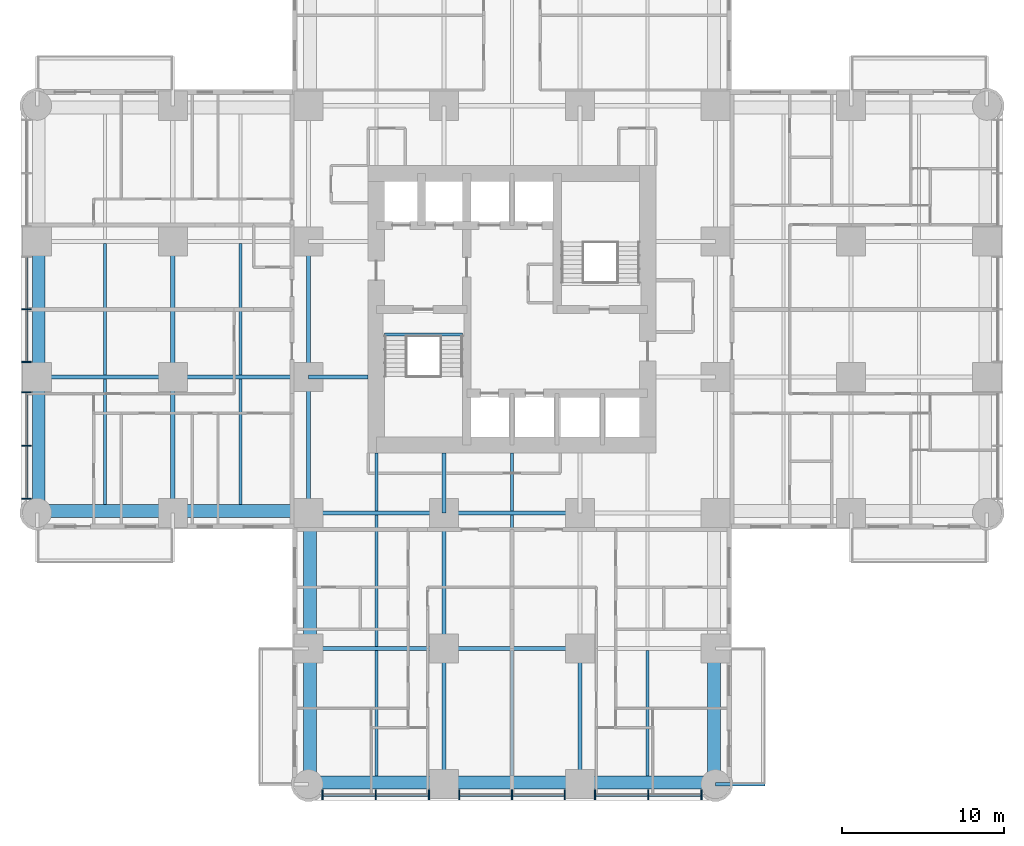
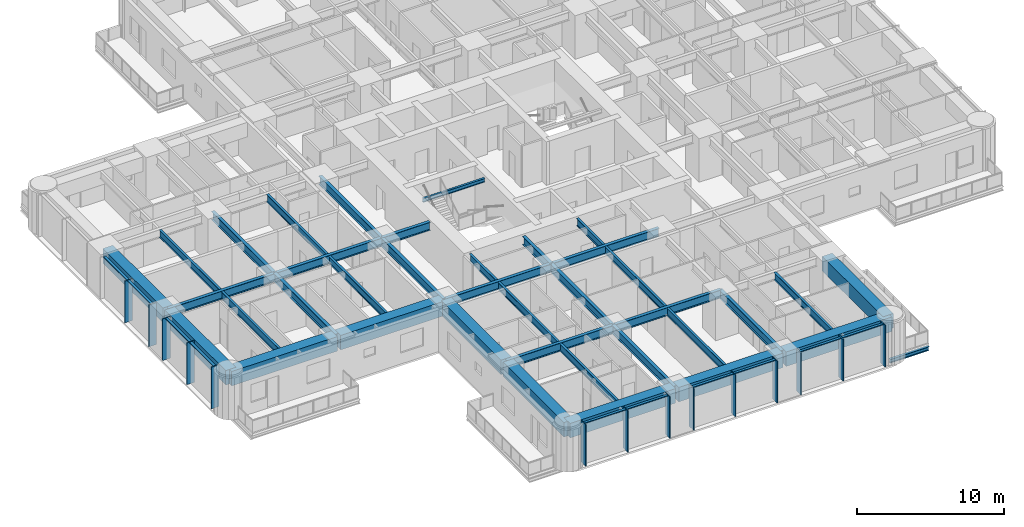
# One storey, part 2 of 17: 38 beams, 24 members, 2 elements without a shape of their own.
"""IFC4 building model written with IfcOpenShell, lengths in metres."""

from ifc_helpers import new_model, si_unit, direction, frame, origin, origin_2d, place, context, subcontext, project, spatial, rectangle, i_section, extrude, material, material_profile, profile_set, type_object, element, aggregate, save


model = new_model("IFC4")

# Units and contexts
model_context = context("Model", 3, precision=1e-05, world=origin(), true_north=direction((0.0, 1.0)))
body_context = subcontext(model_context, "Body", "Model", "MODEL_VIEW")
ifc_project = project(units=[si_unit("LENGTHUNIT", "METRE"), si_unit("AREAUNIT", "SQUARE_METRE"), si_unit("VOLUMEUNIT", "CUBIC_METRE"), si_unit("PLANEANGLEUNIT", "RADIAN"), si_unit("MASSUNIT", "GRAM", prefix="KILO")], contexts=[model_context])

# Site, building, storey
site_placement = place(None, origin())
site = spatial("IfcSite", under=ifc_project, at=site_placement, CompositionType="ELEMENT")
building_placement = place(site_placement, origin())
building = spatial("IfcBuilding", under=site, at=building_placement, Name="Torre Alcanfor", CompositionType="ELEMENT")
storey_placement = place(building_placement, frame((0.0, 0.0, 38.10009765625)))
storey = spatial("IfcBuildingStorey", under=building, at=storey_placement, Name="L08", CompositionType="ELEMENT", Elevation=38.10009765625)

# Beam
ifc_material_1 = material(Name="Steel ASTM A992 Grade 50", Category="steel")
ifc_material_profile_1 = material_profile(ifc_material_1, i_section(OverallWidth=0.205322265625, OverallDepth=0.309814453125, WebThickness=0.00927734375, FlangeThickness=0.016357421875, at=origin_2d()), Name="W12x50")
ifc_profile_set_1 = profile_set([ifc_material_profile_1], Name="Steel ASTM A992 Grade 50")
beam_type_1 = type_object("IfcBeamType", Name="Balcony cantilever beam W12x50", PredefinedType="BEAM", material=ifc_profile_set_1)
beam_1_placement = place(storey_placement, frame((42.0, 0.0, -0.35498046875), z_axis=(1.0, 0.0, 0.0), x_axis=(0.0, 1.0, 0.0)))
element("IfcBeam", 1, at=beam_1_placement, inside=storey, type_object=beam_type_1, Name="Balcony cantilever beam L08-S1 2", PredefinedType="BEAM", context=body_context, shape_type="SweptSolid", body=[
    extrude(i_section(OverallWidth=0.205322265625, OverallDepth=0.309814453125, WebThickness=0.00927734375, FlangeThickness=0.016357421875, at=origin_2d()), origin(), (0.0, 0.0, 1.0), 3.050048828125),
])

# Curtain wall, members
ifc_material_2 = material(Name="Aluminium and glass", Category="aluminium")
curtain_wall_type = type_object("IfcCurtainWallType", Name="CW-A unitised apartment glazing with vertical FIN", PredefinedType="NOTDEFINED", material=ifc_material_2)
curtain_wall_1_placement = place(storey_placement, origin())
curtain_wall_1 = element("IfcCurtainWall", 2, at=curtain_wall_1_placement, inside=storey, type_object=curtain_wall_type, Name="Curtain wall CW-A L08 2", PredefinedType="NOTDEFINED")
ifc_material_3 = material(Name="Bronze anodised aluminium", Category="aluminium")
ifc_material_profile_2 = material_profile(ifc_material_3, rectangle(XDim=0.60009765625, YDim=0.06494140625, at=origin_2d()), Name="CW-A mullion 65x600")
ifc_profile_set_2 = profile_set([ifc_material_profile_2], Name="Bronze anodised aluminium")
member_type_1 = type_object("IfcMemberType", Name="CW-A mullion with vertical FIN 65x600", PredefinedType="MULLION", material=ifc_profile_set_2)
member_1_placement = place(storey_placement, frame((-0.64990234375, 29.39990234375, 0.0), z_axis=(0.0, 0.0, 1.0), x_axis=(1.0, 0.0, 0.0)))
member_1 = element("IfcMember", 3, at=member_1_placement, type_object=member_type_1, Name="CW-A mullion 2.2", PredefinedType="MULLION", context=body_context, shape_type="SweptSolid", body=[
    extrude(rectangle(XDim=0.60009765625, YDim=0.06494140625, at=origin_2d()), origin(), (0.0, 0.0, 1.0), 3.449951171875),
])
member_2_placement = place(storey_placement, frame((-0.64990234375, 26.137451171875, 0.0), z_axis=(0.0, 0.0, 1.0), x_axis=(1.0, 0.0, 0.0)))
member_2 = element("IfcMember", 4, at=member_2_placement, type_object=member_type_1, Name="CW-A mullion 2.3", PredefinedType="MULLION", context=body_context, shape_type="SweptSolid", body=[
    extrude(rectangle(XDim=0.60009765625, YDim=0.06494140625, at=origin_2d()), origin(), (0.0, 0.0, 1.0), 3.449951171875),
])
member_3_placement = place(storey_placement, frame((-0.64990234375, 24.262451171875, 0.0), z_axis=(0.0, 0.0, 1.0), x_axis=(1.0, 0.0, 0.0)))
member_3 = element("IfcMember", 5, at=member_3_placement, type_object=member_type_1, Name="CW-A mullion 3.1", PredefinedType="MULLION", context=body_context, shape_type="SweptSolid", body=[
    extrude(rectangle(XDim=0.60009765625, YDim=0.06494140625, at=origin_2d()), origin(), (0.0, 0.0, 1.0), 3.449951171875),
])
member_4_placement = place(storey_placement, frame((-0.64990234375, 20.96484375, 0.0), z_axis=(0.0, 0.0, 1.0), x_axis=(1.0, 0.0, 0.0)))
member_4 = element("IfcMember", 6, at=member_4_placement, type_object=member_type_1, Name="CW-A mullion 3.2", PredefinedType="MULLION", context=body_context, shape_type="SweptSolid", body=[
    extrude(rectangle(XDim=0.60009765625, YDim=0.06494140625, at=origin_2d()), origin(), (0.0, 0.0, 1.0), 3.449951171875),
])
member_5_placement = place(storey_placement, frame((-0.64990234375, 17.6669921875, 0.0), z_axis=(0.0, 0.0, 1.0), x_axis=(1.0, 0.0, 0.0)))
member_5 = element("IfcMember", 7, at=member_5_placement, type_object=member_type_1, Name="CW-A mullion 3.3", PredefinedType="MULLION", context=body_context, shape_type="SweptSolid", body=[
    extrude(rectangle(XDim=0.60009765625, YDim=0.06494140625, at=origin_2d()), origin(), (0.0, 0.0, 1.0), 3.449951171875),
])

curtain_wall_2_placement = place(storey_placement, origin())
curtain_wall_2 = element("IfcCurtainWall", 8, at=curtain_wall_2_placement, inside=storey, type_object=curtain_wall_type, Name="Curtain wall CW-A L08 5", PredefinedType="NOTDEFINED")
member_6_placement = place(storey_placement, frame((17.6669921875, -0.64990234375, 0.0), z_axis=(0.0, 0.0, 1.0), x_axis=(0.0, 1.0, 0.0)))
member_6 = element("IfcMember", 9, at=member_6_placement, type_object=member_type_1, Name="CW-A mullion 1.1", PredefinedType="MULLION", context=body_context, shape_type="SweptSolid", body=[
    extrude(rectangle(XDim=0.60009765625, YDim=0.06494140625, at=origin_2d()), origin(), (0.0, 0.0, 1.0), 3.449951171875),
])
member_7_placement = place(storey_placement, frame((20.96484375, -0.64990234375, 0.0), z_axis=(0.0, 0.0, 1.0), x_axis=(0.0, 1.0, 0.0)))
member_7 = element("IfcMember", 10, at=member_7_placement, type_object=member_type_1, Name="CW-A mullion 1.2", PredefinedType="MULLION", context=body_context, shape_type="SweptSolid", body=[
    extrude(rectangle(XDim=0.60009765625, YDim=0.06494140625, at=origin_2d()), origin(), (0.0, 0.0, 1.0), 3.449951171875),
])
member_8_placement = place(storey_placement, frame((24.262451171875, -0.64990234375, 0.0), z_axis=(0.0, 0.0, 1.0), x_axis=(0.0, 1.0, 0.0)))
member_8 = element("IfcMember", 11, at=member_8_placement, type_object=member_type_1, Name="CW-A mullion 1.3", PredefinedType="MULLION", context=body_context, shape_type="SweptSolid", body=[
    extrude(rectangle(XDim=0.60009765625, YDim=0.06494140625, at=origin_2d()), origin(), (0.0, 0.0, 1.0), 3.449951171875),
])
member_9_placement = place(storey_placement, frame((26.137451171875, -0.64990234375, 0.0), z_axis=(0.0, 0.0, 1.0), x_axis=(0.0, 1.0, 0.0)))
member_9 = element("IfcMember", 12, at=member_9_placement, type_object=member_type_1, Name="CW-A mullion 2.1", PredefinedType="MULLION", context=body_context, shape_type="SweptSolid", body=[
    extrude(rectangle(XDim=0.60009765625, YDim=0.06494140625, at=origin_2d()), origin(), (0.0, 0.0, 1.0), 3.449951171875),
])
member_10_placement = place(storey_placement, frame((29.39990234375, -0.64990234375, 0.0), z_axis=(0.0, 0.0, 1.0), x_axis=(0.0, 1.0, 0.0)))
member_10 = element("IfcMember", 13, at=member_10_placement, type_object=member_type_1, Name="CW-A mullion 2.2", PredefinedType="MULLION", context=body_context, shape_type="SweptSolid", body=[
    extrude(rectangle(XDim=0.60009765625, YDim=0.06494140625, at=origin_2d()), origin(), (0.0, 0.0, 1.0), 3.449951171875),
])
member_11_placement = place(storey_placement, frame((32.66259765625, -0.64990234375, 0.0), z_axis=(0.0, 0.0, 1.0), x_axis=(0.0, 1.0, 0.0)))
member_11 = element("IfcMember", 14, at=member_11_placement, type_object=member_type_1, Name="CW-A mullion 2.3", PredefinedType="MULLION", context=body_context, shape_type="SweptSolid", body=[
    extrude(rectangle(XDim=0.60009765625, YDim=0.06494140625, at=origin_2d()), origin(), (0.0, 0.0, 1.0), 3.449951171875),
])
member_12_placement = place(storey_placement, frame((34.53759765625, -0.64990234375, 0.0), z_axis=(0.0, 0.0, 1.0), x_axis=(0.0, 1.0, 0.0)))
member_12 = element("IfcMember", 15, at=member_12_placement, type_object=member_type_1, Name="CW-A mullion 3.1", PredefinedType="MULLION", context=body_context, shape_type="SweptSolid", body=[
    extrude(rectangle(XDim=0.60009765625, YDim=0.06494140625, at=origin_2d()), origin(), (0.0, 0.0, 1.0), 3.449951171875),
])
member_13_placement = place(storey_placement, frame((37.835205078125, -0.64990234375, 0.0), z_axis=(0.0, 0.0, 1.0), x_axis=(0.0, 1.0, 0.0)))
member_13 = element("IfcMember", 16, at=member_13_placement, type_object=member_type_1, Name="CW-A mullion 3.2", PredefinedType="MULLION", context=body_context, shape_type="SweptSolid", body=[
    extrude(rectangle(XDim=0.60009765625, YDim=0.06494140625, at=origin_2d()), origin(), (0.0, 0.0, 1.0), 3.449951171875),
])
member_14_placement = place(storey_placement, frame((41.133056640625, -0.64990234375, 0.0), z_axis=(0.0, 0.0, 1.0), x_axis=(0.0, 1.0, 0.0)))
member_14 = element("IfcMember", 17, at=member_14_placement, type_object=member_type_1, Name="CW-A mullion 3.3", PredefinedType="MULLION", context=body_context, shape_type="SweptSolid", body=[
    extrude(rectangle(XDim=0.60009765625, YDim=0.06494140625, at=origin_2d()), origin(), (0.0, 0.0, 1.0), 3.449951171875),
])

# Member
ifc_material_4 = material(Name="Extruded aluminium", Category="aluminium")
ifc_material_profile_3 = material_profile(ifc_material_4, rectangle(XDim=0.199951171875, YDim=0.06494140625, at=origin_2d()), Name="CW-A transom 200x65")
ifc_profile_set_3 = profile_set([ifc_material_profile_3], Name="Extruded aluminium")
member_type_2 = type_object("IfcMemberType", Name="CW-A transom 65x200", PredefinedType="USERDEFINED", material=ifc_profile_set_3)
member_15_placement = place(storey_placement, frame((-0.64990234375, 32.6298828125, 3.41748046875), z_axis=(0.0, -1.0, 0.0), x_axis=(1.0, 0.0, 0.0)))
member_15 = element("IfcMember", 18, at=member_15_placement, type_object=member_type_2, Name="CW-A transom 2.1.2", ObjectType="TRANSOM", PredefinedType="USERDEFINED", context=body_context, shape_type="SweptSolid", body=[
    extrude(rectangle(XDim=0.199951171875, YDim=0.06494140625, at=origin_2d()), origin(), (0.0, 0.0, 1.0), 3.197265625),
])

member_16_placement = place(storey_placement, frame((-0.64990234375, 29.367431640625, 3.41748046875), z_axis=(0.0, -1.0, 0.0), x_axis=(1.0, 0.0, 0.0)))
member_16 = element("IfcMember", 19, at=member_16_placement, type_object=member_type_2, Name="CW-A transom 2.2.2", ObjectType="TRANSOM", PredefinedType="USERDEFINED", context=body_context, shape_type="SweptSolid", body=[
    extrude(rectangle(XDim=0.199951171875, YDim=0.06494140625, at=origin_2d()), origin(), (0.0, 0.0, 1.0), 3.197509765625),
])

member_17_placement = place(storey_placement, frame((-0.64990234375, 24.22998046875, 3.41748046875), z_axis=(0.0, -1.0, 0.0), x_axis=(1.0, 0.0, 0.0)))
member_17 = element("IfcMember", 20, at=member_17_placement, type_object=member_type_2, Name="CW-A transom 3.1.2", ObjectType="TRANSOM", PredefinedType="USERDEFINED", context=body_context, shape_type="SweptSolid", body=[
    extrude(rectangle(XDim=0.199951171875, YDim=0.06494140625, at=origin_2d()), origin(), (0.0, 0.0, 1.0), 3.232666015625),
])

member_18_placement = place(storey_placement, frame((-0.64990234375, 20.93212890625, 3.41748046875), z_axis=(0.0, -1.0, 0.0), x_axis=(1.0, 0.0, 0.0)))
member_18 = element("IfcMember", 21, at=member_18_placement, type_object=member_type_2, Name="CW-A transom 3.2.2", ObjectType="TRANSOM", PredefinedType="USERDEFINED", context=body_context, shape_type="SweptSolid", body=[
    extrude(rectangle(XDim=0.199951171875, YDim=0.06494140625, at=origin_2d()), origin(), (0.0, 0.0, 1.0), 3.232666015625),
])

aggregate(curtain_wall_1, [member_1, member_2, member_15, member_16, member_3, member_4, member_5, member_17, member_18])

member_19_placement = place(storey_placement, frame((17.699462890625, -0.64990234375, 3.41748046875), z_axis=(1.0, 0.0, 0.0), x_axis=(0.0, 1.0, 0.0)))
member_19 = element("IfcMember", 22, at=member_19_placement, type_object=member_type_2, Name="CW-A transom 1.1.2", ObjectType="TRANSOM", PredefinedType="USERDEFINED", context=body_context, shape_type="SweptSolid", body=[
    extrude(rectangle(XDim=0.199951171875, YDim=0.06494140625, at=origin_2d()), origin(), (0.0, 0.0, 1.0), 3.232666015625),
])

member_20_placement = place(storey_placement, frame((20.997314453125, -0.64990234375, 3.41748046875), z_axis=(1.0, 0.0, 0.0), x_axis=(0.0, 1.0, 0.0)))
member_20 = element("IfcMember", 23, at=member_20_placement, type_object=member_type_2, Name="CW-A transom 1.2.2", ObjectType="TRANSOM", PredefinedType="USERDEFINED", context=body_context, shape_type="SweptSolid", body=[
    extrude(rectangle(XDim=0.199951171875, YDim=0.06494140625, at=origin_2d()), origin(), (0.0, 0.0, 1.0), 3.232666015625),
])

member_21_placement = place(storey_placement, frame((26.169921875, -0.64990234375, 3.41748046875), z_axis=(1.0, 0.0, 0.0), x_axis=(0.0, 1.0, 0.0)))
member_21 = element("IfcMember", 24, at=member_21_placement, type_object=member_type_2, Name="CW-A transom 2.1.2", ObjectType="TRANSOM", PredefinedType="USERDEFINED", context=body_context, shape_type="SweptSolid", body=[
    extrude(rectangle(XDim=0.199951171875, YDim=0.06494140625, at=origin_2d()), origin(), (0.0, 0.0, 1.0), 3.197509765625),
])

member_22_placement = place(storey_placement, frame((29.4326171875, -0.64990234375, 3.41748046875), z_axis=(1.0, 0.0, 0.0), x_axis=(0.0, 1.0, 0.0)))
member_22 = element("IfcMember", 25, at=member_22_placement, type_object=member_type_2, Name="CW-A transom 2.2.2", ObjectType="TRANSOM", PredefinedType="USERDEFINED", context=body_context, shape_type="SweptSolid", body=[
    extrude(rectangle(XDim=0.199951171875, YDim=0.06494140625, at=origin_2d()), origin(), (0.0, 0.0, 1.0), 3.197265625),
])

member_23_placement = place(storey_placement, frame((34.570068359375, -0.64990234375, 3.41748046875), z_axis=(1.0, 0.0, 0.0), x_axis=(0.0, 1.0, 0.0)))
member_23 = element("IfcMember", 26, at=member_23_placement, type_object=member_type_2, Name="CW-A transom 3.1.2", ObjectType="TRANSOM", PredefinedType="USERDEFINED", context=body_context, shape_type="SweptSolid", body=[
    extrude(rectangle(XDim=0.199951171875, YDim=0.06494140625, at=origin_2d()), origin(), (0.0, 0.0, 1.0), 3.232666015625),
])

member_24_placement = place(storey_placement, frame((37.86767578125, -0.64990234375, 3.41748046875), z_axis=(1.0, 0.0, 0.0), x_axis=(0.0, 1.0, 0.0)))
member_24 = element("IfcMember", 27, at=member_24_placement, type_object=member_type_2, Name="CW-A transom 3.2.2", ObjectType="TRANSOM", PredefinedType="USERDEFINED", context=body_context, shape_type="SweptSolid", body=[
    extrude(rectangle(XDim=0.199951171875, YDim=0.06494140625, at=origin_2d()), origin(), (0.0, 0.0, 1.0), 3.23291015625),
])

aggregate(curtain_wall_2, [member_6, member_7, member_8, member_19, member_20, member_9, member_10, member_11, member_21, member_22, member_12, member_13, member_14, member_23, member_24])

# Beams
ifc_material_5 = material(Name="Steel ASTM A992 Grade 50", Category="steel")
ifc_material_profile_4 = material_profile(ifc_material_5, i_section(OverallWidth=0.25390625, OverallDepth=0.683349609375, WebThickness=0.012451171875, FlangeThickness=0.01904296875, at=origin_2d()), Name="W27x94")
ifc_profile_set_4 = profile_set([ifc_material_profile_4], Name="Steel ASTM A992 Grade 50")
beam_type_2 = type_object("IfcBeamType", Name="Girder W27x94", PredefinedType="BEAM", material=ifc_profile_set_4)
beam_2_placement = place(storey_placement, frame((16.800048828125, 8.39990234375, 3.108154296875), z_axis=(1.0, 0.0, 0.0), x_axis=(0.0, 1.0, 0.0)))
element("IfcBeam", 28, at=beam_2_placement, inside=storey, type_object=beam_type_2, Name="Beam 3D-4D under L09", PredefinedType="BEAM", context=body_context, shape_type="SweptSolid", body=[
    extrude(i_section(OverallWidth=0.25390625, OverallDepth=0.683349609375, WebThickness=0.012451171875, FlangeThickness=0.01904296875, at=origin_2d()), origin(), (0.0, 0.0, 1.0), 8.39990234375),
])
beam_3_placement = place(storey_placement, frame((25.199951171875, 8.39990234375, 3.108154296875), z_axis=(1.0, 0.0, 0.0), x_axis=(0.0, 1.0, 0.0)))
element("IfcBeam", 29, at=beam_3_placement, inside=storey, type_object=beam_type_2, Name="Beam 4D-5D under L09", PredefinedType="BEAM", context=body_context, shape_type="SweptSolid", body=[
    extrude(i_section(OverallWidth=0.25390625, OverallDepth=0.683349609375, WebThickness=0.012451171875, FlangeThickness=0.01904296875, at=origin_2d()), origin(), (0.0, 0.0, 1.0), 8.400146484375),
])
beam_4_placement = place(storey_placement, frame((16.800048828125, 16.800048828125, 3.108154296875), z_axis=(1.0, 0.0, 0.0), x_axis=(0.0, 1.0, 0.0)))
element("IfcBeam", 30, at=beam_4_placement, inside=storey, type_object=beam_type_2, Name="Beam 3E-4E under L09", PredefinedType="BEAM", context=body_context, shape_type="SweptSolid", body=[
    extrude(i_section(OverallWidth=0.25390625, OverallDepth=0.683349609375, WebThickness=0.012451171875, FlangeThickness=0.01904296875, at=origin_2d()), origin(), (0.0, 0.0, 1.0), 8.39990234375),
])
beam_5_placement = place(storey_placement, frame((25.199951171875, 16.800048828125, 3.108154296875), z_axis=(1.0, 0.0, 0.0), x_axis=(0.0, 1.0, 0.0)))
element("IfcBeam", 31, at=beam_5_placement, inside=storey, type_object=beam_type_2, Name="Beam 4E-5E under L09", PredefinedType="BEAM", context=body_context, shape_type="SweptSolid", body=[
    extrude(i_section(OverallWidth=0.25390625, OverallDepth=0.683349609375, WebThickness=0.012451171875, FlangeThickness=0.01904296875, at=origin_2d()), origin(), (0.0, 0.0, 1.0), 8.400146484375),
])
beam_6_placement = place(storey_placement, frame((0.0, 25.199951171875, 3.108154296875), z_axis=(1.0, 0.0, 0.0), x_axis=(0.0, 1.0, 0.0)))
element("IfcBeam", 32, at=beam_6_placement, inside=storey, type_object=beam_type_2, Name="Beam 1F-2F under L09", PredefinedType="BEAM", context=body_context, shape_type="SweptSolid", body=[
    extrude(i_section(OverallWidth=0.25390625, OverallDepth=0.683349609375, WebThickness=0.012451171875, FlangeThickness=0.01904296875, at=origin_2d()), origin(), (0.0, 0.0, 1.0), 8.39990234375),
])
beam_7_placement = place(storey_placement, frame((8.39990234375, 25.199951171875, 3.108154296875), z_axis=(1.0, 0.0, 0.0), x_axis=(0.0, 1.0, 0.0)))
element("IfcBeam", 33, at=beam_7_placement, inside=storey, type_object=beam_type_2, Name="Beam 2F-3F under L09", PredefinedType="BEAM", context=body_context, shape_type="SweptSolid", body=[
    extrude(i_section(OverallWidth=0.25390625, OverallDepth=0.683349609375, WebThickness=0.012451171875, FlangeThickness=0.01904296875, at=origin_2d()), origin(), (0.0, 0.0, 1.0), 8.400146484375),
])
beam_8_placement = place(storey_placement, frame((8.39990234375, 16.800048828125, 3.108154296875), z_axis=(0.0, 1.0, 0.0), x_axis=(-1.0, 0.0, 0.0)))
element("IfcBeam", 34, at=beam_8_placement, inside=storey, type_object=beam_type_2, Name="Beam 2E-2F under L09", PredefinedType="BEAM", context=body_context, shape_type="SweptSolid", body=[
    extrude(i_section(OverallWidth=0.25390625, OverallDepth=0.683349609375, WebThickness=0.012451171875, FlangeThickness=0.01904296875, at=origin_2d()), origin(), (0.0, 0.0, 1.0), 8.39990234375),
])
beam_9_placement = place(storey_placement, frame((8.39990234375, 25.199951171875, 3.108154296875), z_axis=(0.0, 1.0, 0.0), x_axis=(-1.0, 0.0, 0.0)))
element("IfcBeam", 35, at=beam_9_placement, inside=storey, type_object=beam_type_2, Name="Beam 2F-2G under L09", PredefinedType="BEAM", context=body_context, shape_type="SweptSolid", body=[
    extrude(i_section(OverallWidth=0.25390625, OverallDepth=0.683349609375, WebThickness=0.012451171875, FlangeThickness=0.01904296875, at=origin_2d()), origin(), (0.0, 0.0, 1.0), 8.400146484375),
])
beam_10_placement = place(storey_placement, frame((16.800048828125, 16.800048828125, 3.108154296875), z_axis=(0.0, 1.0, 0.0), x_axis=(-1.0, 0.0, 0.0)))
element("IfcBeam", 36, at=beam_10_placement, inside=storey, type_object=beam_type_2, Name="Beam 3E-3F under L09", PredefinedType="BEAM", context=body_context, shape_type="SweptSolid", body=[
    extrude(i_section(OverallWidth=0.25390625, OverallDepth=0.683349609375, WebThickness=0.012451171875, FlangeThickness=0.01904296875, at=origin_2d()), origin(), (0.0, 0.0, 1.0), 8.39990234375),
])
beam_11_placement = place(storey_placement, frame((16.800048828125, 25.199951171875, 3.108154296875), z_axis=(0.0, 1.0, 0.0), x_axis=(-1.0, 0.0, 0.0)))
element("IfcBeam", 37, at=beam_11_placement, inside=storey, type_object=beam_type_2, Name="Beam 3F-3G under L09", PredefinedType="BEAM", context=body_context, shape_type="SweptSolid", body=[
    extrude(i_section(OverallWidth=0.25390625, OverallDepth=0.683349609375, WebThickness=0.012451171875, FlangeThickness=0.01904296875, at=origin_2d()), origin(), (0.0, 0.0, 1.0), 8.400146484375),
])
beam_12_placement = place(storey_placement, frame((25.199951171875, 0.0, 3.108154296875), z_axis=(0.0, 1.0, 0.0), x_axis=(-1.0, 0.0, 0.0)))
element("IfcBeam", 38, at=beam_12_placement, inside=storey, type_object=beam_type_2, Name="Beam 4C-4D under L09", PredefinedType="BEAM", context=body_context, shape_type="SweptSolid", body=[
    extrude(i_section(OverallWidth=0.25390625, OverallDepth=0.683349609375, WebThickness=0.012451171875, FlangeThickness=0.01904296875, at=origin_2d()), origin(), (0.0, 0.0, 1.0), 8.39990234375),
])
beam_13_placement = place(storey_placement, frame((25.199951171875, 8.39990234375, 3.108154296875), z_axis=(0.0, 1.0, 0.0), x_axis=(-1.0, 0.0, 0.0)))
element("IfcBeam", 39, at=beam_13_placement, inside=storey, type_object=beam_type_2, Name="Beam 4D-4E under L09", PredefinedType="BEAM", context=body_context, shape_type="SweptSolid", body=[
    extrude(i_section(OverallWidth=0.25390625, OverallDepth=0.683349609375, WebThickness=0.012451171875, FlangeThickness=0.01904296875, at=origin_2d()), origin(), (0.0, 0.0, 1.0), 8.400146484375),
])
beam_14_placement = place(storey_placement, frame((33.60009765625, 0.0, 3.108154296875), z_axis=(0.0, 1.0, 0.0), x_axis=(-1.0, 0.0, 0.0)))
element("IfcBeam", 40, at=beam_14_placement, inside=storey, type_object=beam_type_2, Name="Beam 5C-5D under L09", PredefinedType="BEAM", context=body_context, shape_type="SweptSolid", body=[
    extrude(i_section(OverallWidth=0.25390625, OverallDepth=0.683349609375, WebThickness=0.012451171875, FlangeThickness=0.01904296875, at=origin_2d()), origin(), (0.0, 0.0, 1.0), 8.39990234375),
])
ifc_material_6 = material(Name="Steel ASTM A992 Grade 50", Category="steel")
ifc_material_profile_5 = material_profile(ifc_material_6, i_section(OverallWidth=0.25390625, OverallDepth=0.683349609375, WebThickness=0.012451171875, FlangeThickness=0.01904296875, at=origin_2d()), Name="W27x94")
ifc_profile_set_5 = profile_set([ifc_material_profile_5], Name="Steel ASTM A992 Grade 50")
beam_type_3 = type_object("IfcBeamType", Name="Girder, part bay W27x94", PredefinedType="BEAM", material=ifc_profile_set_5)
for number, where, z_axis, x_axis, name in (
    (41, (25.199951171875, 16.800048828125, 3.108154296875), (0.0, 1.0, 0.0), (-1.0, 0.0, 0.0), "Beam 4E-420_5 under L09"),
    (42, (16.800048828125, 25.199951171875, 3.108154296875), (1.0, 0.0, 0.0), (0.0, 1.0, 0.0), "Beam 3F-20_5F under L09"),
):
    element("IfcBeam", number, at=place(storey_placement, frame(where, z_axis=z_axis, x_axis=x_axis)), inside=storey, type_object=beam_type_3, Name=name, PredefinedType="BEAM", context=body_context, shape_type="SweptSolid", body=[
        extrude(i_section(OverallWidth=0.25390625, OverallDepth=0.683349609375, WebThickness=0.012451171875, FlangeThickness=0.01904296875, at=origin_2d()), origin(), (0.0, 0.0, 1.0), 3.699951171875),
    ])
ifc_material_7 = material(Name="Concrete f'c 70 MPa", Category="concrete")
ifc_material_profile_6 = material_profile(ifc_material_7, rectangle(XDim=0.800048828125, YDim=1.199951171875, at=origin_2d()), Name="800x1200")
ifc_profile_set_6 = profile_set([ifc_material_profile_6], Name="Concrete f'c 70 MPa")
beam_type_4 = type_object("IfcBeamType", Name="RC perimeter beam 800x1200", PredefinedType="BEAM", material=ifc_profile_set_6)
beam_15_placement = place(storey_placement, frame((16.800048828125, 0.10009765625, 2.849853515625), z_axis=(1.0, 0.0, 0.0), x_axis=(0.0, 1.0, 0.0)))
element("IfcBeam", 43, at=beam_15_placement, inside=storey, type_object=beam_type_4, Name="Beam 3C-4C under L09", PredefinedType="BEAM", context=body_context, shape_type="SweptSolid", body=[
    extrude(rectangle(XDim=0.800048828125, YDim=1.199951171875, at=origin_2d()), origin(), (0.0, 0.0, 1.0), 8.27294921875),
])
beam_16_placement = place(storey_placement, frame((25.326904296875, 0.10009765625, 2.849853515625), z_axis=(1.0, 0.0, 0.0), x_axis=(0.0, 1.0, 0.0)))
element("IfcBeam", 44, at=beam_16_placement, inside=storey, type_object=beam_type_4, Name="Beam 4C-5C under L09", PredefinedType="BEAM", context=body_context, shape_type="SweptSolid", body=[
    extrude(rectangle(XDim=0.800048828125, YDim=1.199951171875, at=origin_2d()), origin(), (0.0, 0.0, 1.0), 8.14599609375),
])
for number, where, z_axis, x_axis, name in (
    (45, (33.72705078125, 0.10009765625, 2.849853515625), (1.0, 0.0, 0.0), (0.0, 1.0, 0.0), "Beam 5C-6C under L09"),
    (46, (0.0, 16.89990234375, 2.849853515625), (1.0, 0.0, 0.0), (0.0, 1.0, 0.0), "Beam 1E-2E under L09"),
):
    element("IfcBeam", number, at=place(storey_placement, frame(where, z_axis=z_axis, x_axis=x_axis)), inside=storey, type_object=beam_type_4, Name=name, PredefinedType="BEAM", context=body_context, shape_type="SweptSolid", body=[
        extrude(rectangle(XDim=0.800048828125, YDim=1.199951171875, at=origin_2d()), origin(), (0.0, 0.0, 1.0), 8.27294921875),
    ])
beam_17_placement = place(storey_placement, frame((8.527099609375, 16.89990234375, 2.849853515625), z_axis=(1.0, 0.0, 0.0), x_axis=(0.0, 1.0, 0.0)))
element("IfcBeam", 47, at=beam_17_placement, inside=storey, type_object=beam_type_4, Name="Beam 2E-3E under L09", PredefinedType="BEAM", context=body_context, shape_type="SweptSolid", body=[
    extrude(rectangle(XDim=0.800048828125, YDim=1.199951171875, at=origin_2d()), origin(), (0.0, 0.0, 1.0), 8.14599609375),
])
beam_18_placement = place(storey_placement, frame((0.10009765625, 16.800048828125, 2.849853515625), z_axis=(0.0, 1.0, 0.0), x_axis=(-1.0, 0.0, 0.0)))
element("IfcBeam", 48, at=beam_18_placement, inside=storey, type_object=beam_type_4, Name="Beam 1E-1F under L09", PredefinedType="BEAM", context=body_context, shape_type="SweptSolid", body=[
    extrude(rectangle(XDim=0.800048828125, YDim=1.199951171875, at=origin_2d()), origin(), (0.0, 0.0, 1.0), 8.27294921875),
])
beam_19_placement = place(storey_placement, frame((0.10009765625, 25.326904296875, 2.849853515625), z_axis=(0.0, 1.0, 0.0), x_axis=(-1.0, 0.0, 0.0)))
element("IfcBeam", 49, at=beam_19_placement, inside=storey, type_object=beam_type_4, Name="Beam 1F-1G under L09", PredefinedType="BEAM", context=body_context, shape_type="SweptSolid", body=[
    extrude(rectangle(XDim=0.800048828125, YDim=1.199951171875, at=origin_2d()), origin(), (0.0, 0.0, 1.0), 8.14599609375),
])
beam_20_placement = place(storey_placement, frame((16.89990234375, 0.0, 2.849853515625), z_axis=(0.0, 1.0, 0.0), x_axis=(-1.0, 0.0, 0.0)))
element("IfcBeam", 50, at=beam_20_placement, inside=storey, type_object=beam_type_4, Name="Beam 3C-3D under L09", PredefinedType="BEAM", context=body_context, shape_type="SweptSolid", body=[
    extrude(rectangle(XDim=0.800048828125, YDim=1.199951171875, at=origin_2d()), origin(), (0.0, 0.0, 1.0), 8.27294921875),
])
beam_21_placement = place(storey_placement, frame((16.89990234375, 8.527099609375, 2.849853515625), z_axis=(0.0, 1.0, 0.0), x_axis=(-1.0, 0.0, 0.0)))
element("IfcBeam", 51, at=beam_21_placement, inside=storey, type_object=beam_type_4, Name="Beam 3D-3E under L09", PredefinedType="BEAM", context=body_context, shape_type="SweptSolid", body=[
    extrude(rectangle(XDim=0.800048828125, YDim=1.199951171875, at=origin_2d()), origin(), (0.0, 0.0, 1.0), 8.14599609375),
])
beam_22_placement = place(storey_placement, frame((41.89990234375, 0.0, 2.849853515625), z_axis=(0.0, 1.0, 0.0), x_axis=(-1.0, 0.0, 0.0)))
element("IfcBeam", 52, at=beam_22_placement, inside=storey, type_object=beam_type_4, Name="Beam 6C-6D under L09", PredefinedType="BEAM", context=body_context, shape_type="SweptSolid", body=[
    extrude(rectangle(XDim=0.800048828125, YDim=1.199951171875, at=origin_2d()), origin(), (0.0, 0.0, 1.0), 8.27294921875),
])
ifc_material_8 = material(Name="Steel ASTM A992 Grade 50", Category="steel")
ifc_material_profile_7 = material_profile(ifc_material_8, i_section(OverallWidth=0.1787109375, OverallDepth=0.60205078125, WebThickness=0.010986328125, FlangeThickness=0.014892578125, at=origin_2d()), Name="W24x62")
ifc_profile_set_7 = profile_set([ifc_material_profile_7], Name="Steel ASTM A992 Grade 50")
beam_type_5 = type_object("IfcBeamType", Name="Secondary beam W24x62", PredefinedType="BEAM", material=ifc_profile_set_7)
beam_23_placement = place(storey_placement, frame((4.199951171875, 17.300048828125, 3.14892578125), z_axis=(0.0, 1.0, 0.0), x_axis=(-1.0, 0.0, 0.0)))
element("IfcBeam", 53, at=beam_23_placement, inside=storey, type_object=beam_type_5, Name="Beam 4_2E-4_2F under L09", PredefinedType="BEAM", context=body_context, shape_type="SweptSolid", body=[
    extrude(i_section(OverallWidth=0.1787109375, OverallDepth=0.60205078125, WebThickness=0.010986328125, FlangeThickness=0.014892578125, at=origin_2d()), origin(), (0.0, 0.0, 1.0), 7.77294921875),
])
beam_24_placement = place(storey_placement, frame((4.199951171875, 25.326904296875, 3.14892578125), z_axis=(0.0, 1.0, 0.0), x_axis=(-1.0, 0.0, 0.0)))
element("IfcBeam", 54, at=beam_24_placement, inside=storey, type_object=beam_type_5, Name="Beam 4_2F-4_2G under L09", PredefinedType="BEAM", context=body_context, shape_type="SweptSolid", body=[
    extrude(i_section(OverallWidth=0.1787109375, OverallDepth=0.60205078125, WebThickness=0.010986328125, FlangeThickness=0.014892578125, at=origin_2d()), origin(), (0.0, 0.0, 1.0), 8.14599609375),
])
beam_25_placement = place(storey_placement, frame((12.60009765625, 17.300048828125, 3.14892578125), z_axis=(0.0, 1.0, 0.0), x_axis=(-1.0, 0.0, 0.0)))
element("IfcBeam", 55, at=beam_25_placement, inside=storey, type_object=beam_type_5, Name="Beam 12_6E-12_6F under L09", PredefinedType="BEAM", context=body_context, shape_type="SweptSolid", body=[
    extrude(i_section(OverallWidth=0.1787109375, OverallDepth=0.60205078125, WebThickness=0.010986328125, FlangeThickness=0.014892578125, at=origin_2d()), origin(), (0.0, 0.0, 1.0), 7.77294921875),
])
beam_26_placement = place(storey_placement, frame((12.60009765625, 25.326904296875, 3.14892578125), z_axis=(0.0, 1.0, 0.0), x_axis=(-1.0, 0.0, 0.0)))
element("IfcBeam", 56, at=beam_26_placement, inside=storey, type_object=beam_type_5, Name="Beam 12_6F-12_6G under L09", PredefinedType="BEAM", context=body_context, shape_type="SweptSolid", body=[
    extrude(i_section(OverallWidth=0.1787109375, OverallDepth=0.60205078125, WebThickness=0.010986328125, FlangeThickness=0.014892578125, at=origin_2d()), origin(), (0.0, 0.0, 1.0), 8.14599609375),
])
beam_27_placement = place(storey_placement, frame((21.0, 0.5, 3.14892578125), z_axis=(0.0, 1.0, 0.0), x_axis=(-1.0, 0.0, 0.0)))
element("IfcBeam", 57, at=beam_27_placement, inside=storey, type_object=beam_type_5, Name="Beam 21C-21D under L09", PredefinedType="BEAM", context=body_context, shape_type="SweptSolid", body=[
    extrude(i_section(OverallWidth=0.1787109375, OverallDepth=0.60205078125, WebThickness=0.010986328125, FlangeThickness=0.014892578125, at=origin_2d()), origin(), (0.0, 0.0, 1.0), 7.77294921875),
])
beam_28_placement = place(storey_placement, frame((21.0, 8.527099609375, 3.14892578125), z_axis=(0.0, 1.0, 0.0), x_axis=(-1.0, 0.0, 0.0)))
element("IfcBeam", 58, at=beam_28_placement, inside=storey, type_object=beam_type_5, Name="Beam 21D-21E under L09", PredefinedType="BEAM", context=body_context, shape_type="SweptSolid", body=[
    extrude(i_section(OverallWidth=0.1787109375, OverallDepth=0.60205078125, WebThickness=0.010986328125, FlangeThickness=0.014892578125, at=origin_2d()), origin(), (0.0, 0.0, 1.0), 8.14599609375),
])
beam_29_placement = place(storey_placement, frame((29.39990234375, 0.5, 3.14892578125), z_axis=(0.0, 1.0, 0.0), x_axis=(-1.0, 0.0, 0.0)))
element("IfcBeam", 59, at=beam_29_placement, inside=storey, type_object=beam_type_5, Name="Beam 29_4C-29_4D under L09", PredefinedType="BEAM", context=body_context, shape_type="SweptSolid", body=[
    extrude(i_section(OverallWidth=0.1787109375, OverallDepth=0.60205078125, WebThickness=0.010986328125, FlangeThickness=0.014892578125, at=origin_2d()), origin(), (0.0, 0.0, 1.0), 7.77294921875),
])
beam_30_placement = place(storey_placement, frame((29.39990234375, 8.527099609375, 3.14892578125), z_axis=(0.0, 1.0, 0.0), x_axis=(-1.0, 0.0, 0.0)))
element("IfcBeam", 60, at=beam_30_placement, inside=storey, type_object=beam_type_5, Name="Beam 29_4D-29_4E under L09", PredefinedType="BEAM", context=body_context, shape_type="SweptSolid", body=[
    extrude(i_section(OverallWidth=0.1787109375, OverallDepth=0.60205078125, WebThickness=0.010986328125, FlangeThickness=0.014892578125, at=origin_2d()), origin(), (0.0, 0.0, 1.0), 8.14599609375),
])
beam_31_placement = place(storey_placement, frame((37.800048828125, 0.5, 3.14892578125), z_axis=(0.0, 1.0, 0.0), x_axis=(-1.0, 0.0, 0.0)))
element("IfcBeam", 61, at=beam_31_placement, inside=storey, type_object=beam_type_5, Name="Beam 37_8C-37_8D under L09", PredefinedType="BEAM", context=body_context, shape_type="SweptSolid", body=[
    extrude(i_section(OverallWidth=0.1787109375, OverallDepth=0.60205078125, WebThickness=0.010986328125, FlangeThickness=0.014892578125, at=origin_2d()), origin(), (0.0, 0.0, 1.0), 7.77294921875),
])
ifc_material_9 = material(Name="Steel ASTM A992 Grade 50", Category="steel")
ifc_material_profile_8 = material_profile(ifc_material_9, i_section(OverallWidth=0.1787109375, OverallDepth=0.60205078125, WebThickness=0.010986328125, FlangeThickness=0.014892578125, at=origin_2d()), Name="W24x62")
ifc_profile_set_8 = profile_set([ifc_material_profile_8], Name="Steel ASTM A992 Grade 50")
beam_type_6 = type_object("IfcBeamType", Name="Secondary beam, part bay W24x62", PredefinedType="BEAM", material=ifc_profile_set_8)
for number, where, z_axis, x_axis, name in (
    (62, (21.0, 16.927001953125, 3.14892578125), (0.0, 1.0, 0.0), (-1.0, 0.0, 0.0), "Beam 21E-2120_5 under L09"),
    (63, (29.39990234375, 16.927001953125, 3.14892578125), (0.0, 1.0, 0.0), (-1.0, 0.0, 0.0), "Beam 29_4E-29_420_5 under L09"),
):
    element("IfcBeam", number, at=place(storey_placement, frame(where, z_axis=z_axis, x_axis=x_axis)), inside=storey, type_object=beam_type_6, Name=name, PredefinedType="BEAM", context=body_context, shape_type="SweptSolid", body=[
        extrude(i_section(OverallWidth=0.1787109375, OverallDepth=0.60205078125, WebThickness=0.010986328125, FlangeThickness=0.014892578125, at=origin_2d()), origin(), (0.0, 0.0, 1.0), 3.572998046875),
    ])
ifc_material_10 = material(Name="Steel ASTM A992 Grade 50", Category="steel")
ifc_material_profile_9 = material_profile(ifc_material_10, i_section(OverallWidth=0.164794921875, OverallDepth=0.309814453125, WebThickness=0.005859375, FlangeThickness=0.009765625, at=origin_2d()), Name="W12x26")
ifc_profile_set_9 = profile_set([ifc_material_profile_9], Name="Steel ASTM A992 Grade 50")
beam_type_7 = type_object("IfcBeamType", Name="Stair landing beam W12x26", PredefinedType="BEAM", material=ifc_profile_set_9)
beam_32_placement = place(storey_placement, frame((21.5, 27.83740234375, 3.244873046875), z_axis=(1.0, 0.0, 0.0), x_axis=(0.0, 1.0, 0.0)))
element("IfcBeam", 64, at=beam_32_placement, inside=storey, type_object=beam_type_7, Name="Landing trimmer S1 L09", PredefinedType="BEAM", context=body_context, shape_type="SweptSolid", body=[
    extrude(i_section(OverallWidth=0.164794921875, OverallDepth=0.309814453125, WebThickness=0.005859375, FlangeThickness=0.009765625, at=origin_2d()), origin(), (0.0, 0.0, 1.0), 4.85009765625),
])

save(model, "model.ifc")
